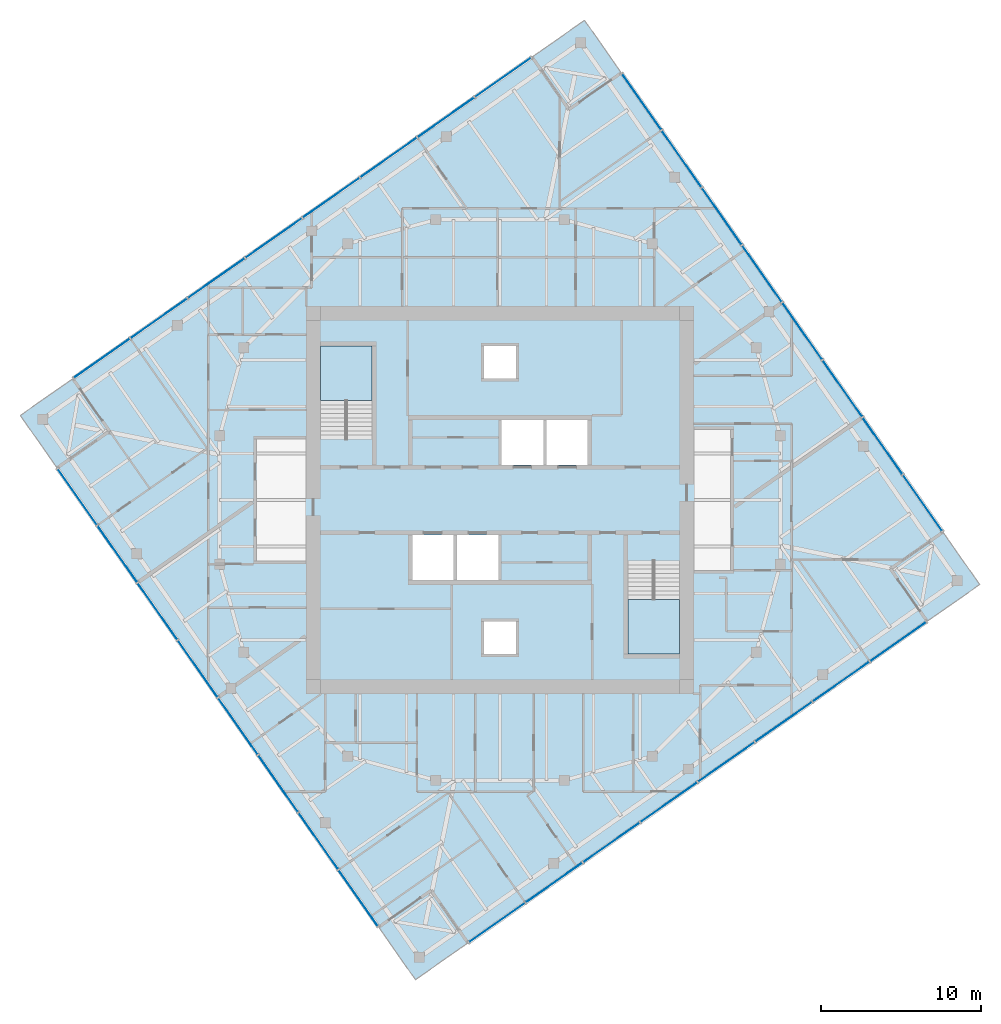
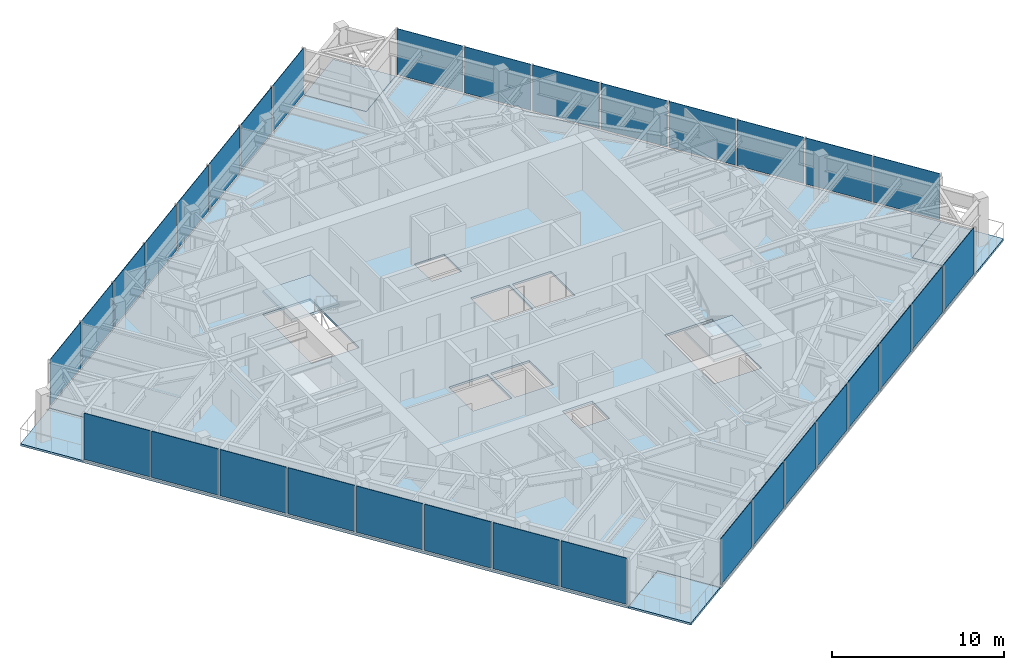
# One storey, part 6 of 13: 32 plates, 7 slabs, 6 elements without a shape of their own.
"""IFC4 building model written with IfcOpenShell, lengths in metres."""

from ifc_helpers import new_model, si_unit, direction, frame, origin, origin_2d, place, context, subcontext, project, spatial, polyline, rectangle, outline, extrude, material, layer, layer_set, type_object, element, aggregate, save


model = new_model("IFC4")

# Units and contexts
model_context = context("Model", 3, precision=1e-05, world=origin(), true_north=direction((0.0, 1.0)))
body_context = subcontext(model_context, "Body", "Model", "MODEL_VIEW")
ifc_project = project(units=[si_unit("LENGTHUNIT", "METRE"), si_unit("AREAUNIT", "SQUARE_METRE"), si_unit("VOLUMEUNIT", "CUBIC_METRE"), si_unit("PLANEANGLEUNIT", "RADIAN"), si_unit("MASSUNIT", "GRAM", prefix="KILO")], contexts=[model_context])

# Site, building, storey
site_placement = place(None, origin())
site = spatial("IfcSite", under=ifc_project, at=site_placement, CompositionType="ELEMENT")
building_placement = place(site_placement, origin())
building = spatial("IfcBuilding", under=site, at=building_placement, Name="Torsade Residences", CompositionType="ELEMENT")
storey_placement = place(building_placement, frame((0.0, 0.0, 260.800048828125)))
storey = spatial("IfcBuildingStorey", under=building, at=storey_placement, Name="L72", CompositionType="ELEMENT", Elevation=260.800048828125)

# Slab
ifc_material_1 = material(Name="Concrete 40 MPa", Category="concrete")
ifc_layer_1 = layer(ifc_material_1, 0.14990234375)
ifc_layer_set_1 = layer_set([ifc_layer_1], Name="Concrete 40 MPa")
slab_type_1 = type_object("IfcSlabType", Name="COMPOSITE FLOOR SLAB 150", PredefinedType="FLOOR", material=ifc_layer_set_1)
slab_1_placement = place(storey_placement, frame((0.0, 0.0, -0.150146484375)))
element("IfcSlab", 1, at=slab_1_placement, inside=storey, type_object=slab_type_1, Name="Floor slab L72", PredefinedType="FLOOR", context=body_context, shape_type="SweptSolid", body=[
    extrude(outline(polyline([(37.996826171875, 2.3505859375), (66.6669921875, 22.42578125), (64.372802734375, 25.702392578125), (67.6494140625, 27.996826171875), (47.57421875, 56.6669921875), (44.297607421875, 54.372802734375), (42.003173828125, 57.6494140625), (13.3330078125, 37.57421875), (15.627197265625, 34.297607421875), (12.3505859375, 32.003173828125), (32.42578125, 3.3330078125), (35.702392578125, 5.627197265625), (37.996826171875, 2.3505859375)]), holes=[polyline([(51.199951171875, 26.1201171875), (48.0, 26.1201171875), (48.0, 20.39990234375), (51.199951171875, 20.39990234375), (51.199951171875, 26.1201171875)]), polyline([(45.5, 35.0), (42.89990234375, 35.0), (42.89990234375, 32.199951171875), (45.5, 32.199951171875), (45.5, 35.0)]), polyline([(42.699951171875, 35.0), (40.10009765625, 35.0), (40.10009765625, 32.199951171875), (42.699951171875, 32.199951171875), (42.699951171875, 35.0)]), polyline([(41.0, 22.39990234375), (39.0, 22.39990234375), (39.0, 20.39990234375), (41.0, 20.39990234375), (41.0, 22.39990234375)]), polyline([(41.0, 39.60009765625), (39.0, 39.60009765625), (39.0, 37.60009765625), (41.0, 37.60009765625), (41.0, 39.60009765625)]), polyline([(39.89990234375, 27.800048828125), (37.300048828125, 27.800048828125), (37.300048828125, 25.0), (39.89990234375, 25.0), (39.89990234375, 27.800048828125)]), polyline([(37.10009765625, 27.800048828125), (34.5, 27.800048828125), (34.5, 25.0), (37.10009765625, 25.0), (37.10009765625, 27.800048828125)]), polyline([(32.0, 39.60009765625), (28.800048828125, 39.60009765625), (28.800048828125, 33.8798828125), (32.0, 33.8798828125), (32.0, 39.60009765625)])]), origin(), (0.0, 0.0, 1.0), 0.150146484375),
])

# Curtain wall, plates
ifc_material_2 = material(Name="Aluminium and glass", Category="aluminium")
curtain_wall_type = type_object("IfcCurtainWallType", Name="FRITTED GLASS CURTAIN WALL HIGH ZONE", PredefinedType="NOTDEFINED", material=ifc_material_2)
curtain_wall_1_placement = place(storey_placement, origin())
curtain_wall_1 = element("IfcCurtainWall", 2, at=curtain_wall_1_placement, inside=storey, type_object=curtain_wall_type, Name="Curtain wall L72 face 1", PredefinedType="NOTDEFINED")
ifc_material_3 = material(Name="Laminated glass", Category="glass")
ifc_layer_2 = layer(ifc_material_3, 0.031982421875)
ifc_layer_set_2 = layer_set([ifc_layer_2], Name="Laminated glass")
plate_type_1 = type_object("IfcPlateType", Name="FRITTED GLASS PANEL", PredefinedType="CURTAIN_PANEL", material=ifc_layer_set_2)
plate_1_placement = place(storey_placement, frame((39.80908203125, 3.61962890625, 0.1201171875), z_axis=(0.0, 0.0, 1.0), x_axis=(0.819152029353, 0.573576457682, 0.0)))
plate_1 = element("IfcPlate", 3, at=plate_1_placement, type_object=plate_type_1, Name="Panel 1", PredefinedType="CURTAIN_PANEL", context=body_context, shape_type="SweptSolid", body=[
    extrude(rectangle(XDim=4.22509765625, YDim=0.031982421875, at=origin_2d()), origin(), (0.0, 0.0, 1.0), 3.280029296875),
])
plate_2_placement = place(storey_placement, frame((46.956298828125, 8.6240234375, 0.1201171875), z_axis=(0.0, 0.0, 1.0), x_axis=(0.819152029353, 0.573576457682, 0.0)))
plate_2 = element("IfcPlate", 4, at=plate_2_placement, type_object=plate_type_1, Name="Panel 3", PredefinedType="CURTAIN_PANEL", context=body_context, shape_type="SweptSolid", body=[
    extrude(rectangle(XDim=4.27490234375, YDim=0.031982421875, at=origin_2d()), origin(), (0.0, 0.0, 1.0), 3.280029296875),
])
plate_3_placement = place(storey_placement, frame((50.5400390625, 11.133544921875, 0.1201171875), z_axis=(0.0, 0.0, 1.0), x_axis=(0.819152029353, 0.573576457682, 0.0)))
plate_3 = element("IfcPlate", 5, at=plate_3_placement, type_object=plate_type_1, Name="Panel 4", PredefinedType="CURTAIN_PANEL", context=body_context, shape_type="SweptSolid", body=[
    extrude(rectangle(XDim=4.27490234375, YDim=0.031982421875, at=origin_2d()), origin(), (0.0, 0.0, 1.0), 3.280029296875),
])
plate_4_placement = place(storey_placement, frame((54.123779296875, 13.642822265625, 0.1201171875), z_axis=(0.0, 0.0, 1.0), x_axis=(0.819152029353, 0.573576457682, 0.0)))
plate_4 = element("IfcPlate", 6, at=plate_4_placement, type_object=plate_type_1, Name="Panel 5", PredefinedType="CURTAIN_PANEL", context=body_context, shape_type="SweptSolid", body=[
    extrude(rectangle(XDim=4.27490234375, YDim=0.031982421875, at=origin_2d()), origin(), (0.0, 0.0, 1.0), 3.280029296875),
])
plate_5_placement = place(storey_placement, frame((61.291259765625, 18.66162109375, 0.1201171875), z_axis=(0.0, 0.0, 1.0), x_axis=(0.819152029353, 0.573576457682, 0.0)))
plate_5 = element("IfcPlate", 7, at=plate_5_placement, type_object=plate_type_1, Name="Panel 7", PredefinedType="CURTAIN_PANEL", context=body_context, shape_type="SweptSolid", body=[
    extrude(rectangle(XDim=4.27490234375, YDim=0.031982421875, at=origin_2d()), origin(), (0.0, 0.0, 1.0), 3.280029296875),
])
plate_6_placement = place(storey_placement, frame((64.854736328125, 21.15673828125, 0.1201171875), z_axis=(0.0, 0.0, 1.0), x_axis=(0.819152029353, 0.573576457682, 0.0)))
plate_6 = element("IfcPlate", 8, at=plate_6_placement, type_object=plate_type_1, Name="Panel 8", PredefinedType="CURTAIN_PANEL", context=body_context, shape_type="SweptSolid", body=[
    extrude(rectangle(XDim=4.22509765625, YDim=0.031982421875, at=origin_2d()), origin(), (0.0, 0.0, 1.0), 3.280029296875),
])

curtain_wall_2_placement = place(storey_placement, origin())
curtain_wall_2 = element("IfcCurtainWall", 9, at=curtain_wall_2_placement, inside=storey, type_object=curtain_wall_type, Name="Curtain wall L72 face 4", PredefinedType="NOTDEFINED")
plate_7_placement = place(storey_placement, frame((66.38037109375, 29.80908203125, 0.1201171875), z_axis=(0.0, 0.0, 1.0), x_axis=(-0.573576457682, 0.819152029353, 0.0)))
plate_7 = element("IfcPlate", 10, at=plate_7_placement, type_object=plate_type_1, Name="Panel 1", PredefinedType="CURTAIN_PANEL", context=body_context, shape_type="SweptSolid", body=[
    extrude(rectangle(XDim=4.22509765625, YDim=0.031982421875, at=origin_2d()), origin(), (0.0, 0.0, 1.0), 3.280029296875),
])
plate_8_placement = place(storey_placement, frame((61.3759765625, 36.956298828125, 0.1201171875), z_axis=(0.0, 0.0, 1.0), x_axis=(-0.573576457682, 0.819152029353, 0.0)))
plate_8 = element("IfcPlate", 11, at=plate_8_placement, type_object=plate_type_1, Name="Panel 3", PredefinedType="CURTAIN_PANEL", context=body_context, shape_type="SweptSolid", body=[
    extrude(rectangle(XDim=4.27490234375, YDim=0.031982421875, at=origin_2d()), origin(), (0.0, 0.0, 1.0), 3.280029296875),
])
plate_9_placement = place(storey_placement, frame((58.866455078125, 40.5400390625, 0.1201171875), z_axis=(0.0, 0.0, 1.0), x_axis=(-0.573576457682, 0.819152029353, 0.0)))
plate_9 = element("IfcPlate", 12, at=plate_9_placement, type_object=plate_type_1, Name="Panel 4", PredefinedType="CURTAIN_PANEL", context=body_context, shape_type="SweptSolid", body=[
    extrude(rectangle(XDim=4.27490234375, YDim=0.031982421875, at=origin_2d()), origin(), (0.0, 0.0, 1.0), 3.280029296875),
])
plate_10_placement = place(storey_placement, frame((56.357177734375, 44.123779296875, 0.1201171875), z_axis=(0.0, 0.0, 1.0), x_axis=(-0.573576457682, 0.819152029353, 0.0)))
plate_10 = element("IfcPlate", 13, at=plate_10_placement, type_object=plate_type_1, Name="Panel 5", PredefinedType="CURTAIN_PANEL", context=body_context, shape_type="SweptSolid", body=[
    extrude(rectangle(XDim=4.27490234375, YDim=0.031982421875, at=origin_2d()), origin(), (0.0, 0.0, 1.0), 3.280029296875),
])
plate_11_placement = place(storey_placement, frame((51.33837890625, 51.291259765625, 0.1201171875), z_axis=(0.0, 0.0, 1.0), x_axis=(-0.573576457682, 0.819152029353, 0.0)))
plate_11 = element("IfcPlate", 14, at=plate_11_placement, type_object=plate_type_1, Name="Panel 7", PredefinedType="CURTAIN_PANEL", context=body_context, shape_type="SweptSolid", body=[
    extrude(rectangle(XDim=4.27490234375, YDim=0.031982421875, at=origin_2d()), origin(), (0.0, 0.0, 1.0), 3.280029296875),
])
plate_12_placement = place(storey_placement, frame((48.84326171875, 54.854736328125, 0.1201171875), z_axis=(0.0, 0.0, 1.0), x_axis=(-0.573576457682, 0.819152029353, 0.0)))
plate_12 = element("IfcPlate", 15, at=plate_12_placement, type_object=plate_type_1, Name="Panel 8", PredefinedType="CURTAIN_PANEL", context=body_context, shape_type="SweptSolid", body=[
    extrude(rectangle(XDim=4.22509765625, YDim=0.031982421875, at=origin_2d()), origin(), (0.0, 0.0, 1.0), 3.280029296875),
])

curtain_wall_3_placement = place(storey_placement, origin())
curtain_wall_3 = element("IfcCurtainWall", 16, at=curtain_wall_3_placement, inside=storey, type_object=curtain_wall_type, Name="Curtain wall L72 face 7", PredefinedType="NOTDEFINED")
plate_13_placement = place(storey_placement, frame((40.19091796875, 56.38037109375, 0.1201171875), z_axis=(0.0, 0.0, 1.0), x_axis=(-0.819152029353, -0.573576457682, 0.0)))
plate_13 = element("IfcPlate", 17, at=plate_13_placement, type_object=plate_type_1, Name="Panel 1", PredefinedType="CURTAIN_PANEL", context=body_context, shape_type="SweptSolid", body=[
    extrude(rectangle(XDim=4.22509765625, YDim=0.031982421875, at=origin_2d()), origin(), (0.0, 0.0, 1.0), 3.280029296875),
])
plate_14_placement = place(storey_placement, frame((33.043701171875, 51.3759765625, 0.1201171875), z_axis=(0.0, 0.0, 1.0), x_axis=(-0.819152029353, -0.573576457682, 0.0)))
plate_14 = element("IfcPlate", 18, at=plate_14_placement, type_object=plate_type_1, Name="Panel 3", PredefinedType="CURTAIN_PANEL", context=body_context, shape_type="SweptSolid", body=[
    extrude(rectangle(XDim=4.27490234375, YDim=0.031982421875, at=origin_2d()), origin(), (0.0, 0.0, 1.0), 3.280029296875),
])
plate_15_placement = place(storey_placement, frame((29.4599609375, 48.866455078125, 0.1201171875), z_axis=(0.0, 0.0, 1.0), x_axis=(-0.819152029353, -0.573576457682, 0.0)))
plate_15 = element("IfcPlate", 19, at=plate_15_placement, type_object=plate_type_1, Name="Panel 4", PredefinedType="CURTAIN_PANEL", context=body_context, shape_type="SweptSolid", body=[
    extrude(rectangle(XDim=4.27490234375, YDim=0.031982421875, at=origin_2d()), origin(), (0.0, 0.0, 1.0), 3.280029296875),
])
plate_16_placement = place(storey_placement, frame((25.876220703125, 46.357177734375, 0.1201171875), z_axis=(0.0, 0.0, 1.0), x_axis=(-0.819152029353, -0.573576457682, 0.0)))
plate_16 = element("IfcPlate", 20, at=plate_16_placement, type_object=plate_type_1, Name="Panel 5", PredefinedType="CURTAIN_PANEL", context=body_context, shape_type="SweptSolid", body=[
    extrude(rectangle(XDim=4.27490234375, YDim=0.031982421875, at=origin_2d()), origin(), (0.0, 0.0, 1.0), 3.280029296875),
])
plate_17_placement = place(storey_placement, frame((18.708740234375, 41.33837890625, 0.1201171875), z_axis=(0.0, 0.0, 1.0), x_axis=(-0.819152029353, -0.573576457682, 0.0)))
plate_17 = element("IfcPlate", 21, at=plate_17_placement, type_object=plate_type_1, Name="Panel 7", PredefinedType="CURTAIN_PANEL", context=body_context, shape_type="SweptSolid", body=[
    extrude(rectangle(XDim=4.27490234375, YDim=0.031982421875, at=origin_2d()), origin(), (0.0, 0.0, 1.0), 3.280029296875),
])
plate_18_placement = place(storey_placement, frame((15.145263671875, 38.84326171875, 0.1201171875), z_axis=(0.0, 0.0, 1.0), x_axis=(-0.819152029353, -0.573576457682, 0.0)))
plate_18 = element("IfcPlate", 22, at=plate_18_placement, type_object=plate_type_1, Name="Panel 8", PredefinedType="CURTAIN_PANEL", context=body_context, shape_type="SweptSolid", body=[
    extrude(rectangle(XDim=4.22509765625, YDim=0.031982421875, at=origin_2d()), origin(), (0.0, 0.0, 1.0), 3.280029296875),
])

curtain_wall_4_placement = place(storey_placement, origin())
curtain_wall_4 = element("IfcCurtainWall", 23, at=curtain_wall_4_placement, inside=storey, type_object=curtain_wall_type, Name="Curtain wall L72 face 10", PredefinedType="NOTDEFINED")
plate_19_placement = place(storey_placement, frame((13.61962890625, 30.19091796875, 0.1201171875), z_axis=(0.0, 0.0, 1.0), x_axis=(0.573576457682, -0.819152029353, 0.0)))
plate_19 = element("IfcPlate", 24, at=plate_19_placement, type_object=plate_type_1, Name="Panel 1", PredefinedType="CURTAIN_PANEL", context=body_context, shape_type="SweptSolid", body=[
    extrude(rectangle(XDim=4.22509765625, YDim=0.031982421875, at=origin_2d()), origin(), (0.0, 0.0, 1.0), 3.280029296875),
])
plate_20_placement = place(storey_placement, frame((18.6240234375, 23.043701171875, 0.1201171875), z_axis=(0.0, 0.0, 1.0), x_axis=(0.573576457682, -0.819152029353, 0.0)))
plate_20 = element("IfcPlate", 25, at=plate_20_placement, type_object=plate_type_1, Name="Panel 3", PredefinedType="CURTAIN_PANEL", context=body_context, shape_type="SweptSolid", body=[
    extrude(rectangle(XDim=4.27490234375, YDim=0.031982421875, at=origin_2d()), origin(), (0.0, 0.0, 1.0), 3.280029296875),
])
plate_21_placement = place(storey_placement, frame((21.133544921875, 19.4599609375, 0.1201171875), z_axis=(0.0, 0.0, 1.0), x_axis=(0.573576457682, -0.819152029353, 0.0)))
plate_21 = element("IfcPlate", 26, at=plate_21_placement, type_object=plate_type_1, Name="Panel 4", PredefinedType="CURTAIN_PANEL", context=body_context, shape_type="SweptSolid", body=[
    extrude(rectangle(XDim=4.27490234375, YDim=0.031982421875, at=origin_2d()), origin(), (0.0, 0.0, 1.0), 3.280029296875),
])
plate_22_placement = place(storey_placement, frame((23.642822265625, 15.876220703125, 0.1201171875), z_axis=(0.0, 0.0, 1.0), x_axis=(0.573576457682, -0.819152029353, 0.0)))
plate_22 = element("IfcPlate", 27, at=plate_22_placement, type_object=plate_type_1, Name="Panel 5", PredefinedType="CURTAIN_PANEL", context=body_context, shape_type="SweptSolid", body=[
    extrude(rectangle(XDim=4.27490234375, YDim=0.031982421875, at=origin_2d()), origin(), (0.0, 0.0, 1.0), 3.280029296875),
])
plate_23_placement = place(storey_placement, frame((28.66162109375, 8.708740234375, 0.1201171875), z_axis=(0.0, 0.0, 1.0), x_axis=(0.573576457682, -0.819152029353, 0.0)))
plate_23 = element("IfcPlate", 28, at=plate_23_placement, type_object=plate_type_1, Name="Panel 7", PredefinedType="CURTAIN_PANEL", context=body_context, shape_type="SweptSolid", body=[
    extrude(rectangle(XDim=4.27490234375, YDim=0.031982421875, at=origin_2d()), origin(), (0.0, 0.0, 1.0), 3.280029296875),
])
plate_24_placement = place(storey_placement, frame((31.15673828125, 5.145263671875, 0.1201171875), z_axis=(0.0, 0.0, 1.0), x_axis=(0.573576457682, -0.819152029353, 0.0)))
plate_24 = element("IfcPlate", 29, at=plate_24_placement, type_object=plate_type_1, Name="Panel 8", PredefinedType="CURTAIN_PANEL", context=body_context, shape_type="SweptSolid", body=[
    extrude(rectangle(XDim=4.22509765625, YDim=0.031982421875, at=origin_2d()), origin(), (0.0, 0.0, 1.0), 3.280029296875),
])

# Plate
ifc_material_4 = material(Name="Laminated glass", Category="glass")
ifc_layer_3 = layer(ifc_material_4, 0.0400390625)
ifc_layer_set_3 = layer_set([ifc_layer_3], Name="Laminated glass")
plate_type_2 = type_object("IfcPlateType", Name="OPERABLE VENT PANEL", PredefinedType="CURTAIN_PANEL", material=ifc_layer_set_3)
plate_25_placement = place(storey_placement, frame((43.372314453125, 6.11474609375, 0.1201171875), z_axis=(0.0, 0.0, 1.0), x_axis=(0.819152029353, 0.573576457682, 0.0)))
plate_25 = element("IfcPlate", 30, at=plate_25_placement, type_object=plate_type_2, Name="Panel 2", PredefinedType="CURTAIN_PANEL", context=body_context, shape_type="SweptSolid", body=[
    extrude(rectangle(XDim=4.27490234375, YDim=0.0400390625, at=origin_2d()), origin(), (0.0, 0.0, 1.0), 3.280029296875),
])

plate_26_placement = place(storey_placement, frame((57.70751953125, 16.15234375, 0.1201171875), z_axis=(0.0, 0.0, 1.0), x_axis=(0.819152029353, 0.573576457682, 0.0)))
plate_26 = element("IfcPlate", 31, at=plate_26_placement, type_object=plate_type_2, Name="Panel 6", PredefinedType="CURTAIN_PANEL", context=body_context, shape_type="SweptSolid", body=[
    extrude(rectangle(XDim=4.27490234375, YDim=0.0400390625, at=origin_2d()), origin(), (0.0, 0.0, 1.0), 3.280029296875),
])

aggregate(curtain_wall_1, [plate_1, plate_25, plate_2, plate_3, plate_4, plate_26, plate_5, plate_6])

plate_27_placement = place(storey_placement, frame((63.88525390625, 33.372314453125, 0.1201171875), z_axis=(0.0, 0.0, 1.0), x_axis=(-0.573576457682, 0.819152029353, 0.0)))
plate_27 = element("IfcPlate", 32, at=plate_27_placement, type_object=plate_type_2, Name="Panel 2", PredefinedType="CURTAIN_PANEL", context=body_context, shape_type="SweptSolid", body=[
    extrude(rectangle(XDim=4.27490234375, YDim=0.0400390625, at=origin_2d()), origin(), (0.0, 0.0, 1.0), 3.280029296875),
])

plate_28_placement = place(storey_placement, frame((53.84765625, 47.70751953125, 0.1201171875), z_axis=(0.0, 0.0, 1.0), x_axis=(-0.573576457682, 0.819152029353, 0.0)))
plate_28 = element("IfcPlate", 33, at=plate_28_placement, type_object=plate_type_2, Name="Panel 6", PredefinedType="CURTAIN_PANEL", context=body_context, shape_type="SweptSolid", body=[
    extrude(rectangle(XDim=4.27490234375, YDim=0.0400390625, at=origin_2d()), origin(), (0.0, 0.0, 1.0), 3.280029296875),
])

aggregate(curtain_wall_2, [plate_7, plate_27, plate_8, plate_9, plate_10, plate_28, plate_11, plate_12])

plate_29_placement = place(storey_placement, frame((36.627685546875, 53.88525390625, 0.1201171875), z_axis=(0.0, 0.0, 1.0), x_axis=(-0.819152029353, -0.573576457682, 0.0)))
plate_29 = element("IfcPlate", 34, at=plate_29_placement, type_object=plate_type_2, Name="Panel 2", PredefinedType="CURTAIN_PANEL", context=body_context, shape_type="SweptSolid", body=[
    extrude(rectangle(XDim=4.27490234375, YDim=0.0400390625, at=origin_2d()), origin(), (0.0, 0.0, 1.0), 3.280029296875),
])

plate_30_placement = place(storey_placement, frame((22.29248046875, 43.84765625, 0.1201171875), z_axis=(0.0, 0.0, 1.0), x_axis=(-0.819152029353, -0.573576457682, 0.0)))
plate_30 = element("IfcPlate", 35, at=plate_30_placement, type_object=plate_type_2, Name="Panel 6", PredefinedType="CURTAIN_PANEL", context=body_context, shape_type="SweptSolid", body=[
    extrude(rectangle(XDim=4.27490234375, YDim=0.0400390625, at=origin_2d()), origin(), (0.0, 0.0, 1.0), 3.280029296875),
])

aggregate(curtain_wall_3, [plate_13, plate_29, plate_14, plate_15, plate_16, plate_30, plate_17, plate_18])

plate_31_placement = place(storey_placement, frame((16.11474609375, 26.627685546875, 0.1201171875), z_axis=(0.0, 0.0, 1.0), x_axis=(0.573576457682, -0.819152029353, 0.0)))
plate_31 = element("IfcPlate", 36, at=plate_31_placement, type_object=plate_type_2, Name="Panel 2", PredefinedType="CURTAIN_PANEL", context=body_context, shape_type="SweptSolid", body=[
    extrude(rectangle(XDim=4.27490234375, YDim=0.0400390625, at=origin_2d()), origin(), (0.0, 0.0, 1.0), 3.280029296875),
])

plate_32_placement = place(storey_placement, frame((26.15234375, 12.29248046875, 0.1201171875), z_axis=(0.0, 0.0, 1.0), x_axis=(0.573576457682, -0.819152029353, 0.0)))
plate_32 = element("IfcPlate", 37, at=plate_32_placement, type_object=plate_type_2, Name="Panel 6", PredefinedType="CURTAIN_PANEL", context=body_context, shape_type="SweptSolid", body=[
    extrude(rectangle(XDim=4.27490234375, YDim=0.0400390625, at=origin_2d()), origin(), (0.0, 0.0, 1.0), 3.280029296875),
])

aggregate(curtain_wall_4, [plate_19, plate_31, plate_20, plate_21, plate_22, plate_32, plate_23, plate_24])

# Stair, slab
ifc_material_5 = material(Name="Precast concrete 40 MPa", Category="concrete")
stair_type = type_object("IfcStairType", Name="HALF-TURN FIRE STAIR 1500x3400", PredefinedType="HALF_TURN_STAIR", material=ifc_material_5)
stair_1_placement = place(storey_placement, origin())
stair_1 = element("IfcStair", 38, at=stair_1_placement, inside=storey, type_object=stair_type, Name="Stair ST1 L72", PredefinedType="HALF_TURN_STAIR")
ifc_material_6 = material(Name="Precast concrete 40 MPa", Category="concrete")
ifc_layer_4 = layer(ifc_material_6, 0.179931640625)
ifc_layer_set_4 = layer_set([ifc_layer_4], Name="Precast concrete 40 MPa")
slab_type_2 = type_object("IfcSlabType", Name="PRECAST STAIR LANDING 180", PredefinedType="LANDING", material=ifc_layer_set_4)
slab_2_placement = place(storey_placement, frame((0.0, 0.0, 1.52001953125)))
slab_2 = element("IfcSlab", 39, at=slab_2_placement, type_object=slab_type_2, Name="ST1 landing 1", PredefinedType="LANDING", context=body_context, shape_type="SweptSolid", body=[
    extrude(outline(polyline([(28.800048828125, 36.2099609375), (32.0, 36.2099609375), (32.0, 39.60009765625), (28.800048828125, 39.60009765625), (28.800048828125, 36.2099609375)])), origin(), (0.0, 0.0, 1.0), 0.179931640625),
])
aggregate(stair_1, [slab_2])

stair_2_placement = place(storey_placement, origin())
stair_2 = element("IfcStair", 40, at=stair_2_placement, inside=storey, type_object=stair_type, Name="Stair ST2 L72", PredefinedType="HALF_TURN_STAIR")
slab_3_placement = place(storey_placement, frame((0.0, 0.0, 1.52001953125)))
slab_3 = element("IfcSlab", 41, at=slab_3_placement, type_object=slab_type_2, Name="ST2 landing 1", PredefinedType="LANDING", context=body_context, shape_type="SweptSolid", body=[
    extrude(outline(polyline([(48.0, 20.39990234375), (51.199951171875, 20.39990234375), (51.199951171875, 23.7900390625), (48.0, 23.7900390625), (48.0, 20.39990234375)])), origin(), (0.0, 0.0, 1.0), 0.179931640625),
])
aggregate(stair_2, [slab_3])

# Slabs
ifc_material_7 = material(Name="Concrete 40 MPa", Category="concrete")
ifc_layer_5 = layer(ifc_material_7, 0.14990234375)
ifc_layer_set_5 = layer_set([ifc_layer_5], Name="Concrete 40 MPa")
slab_type_3 = type_object("IfcSlabType", Name="TERRACE SLAB 150", PredefinedType="FLOOR", material=ifc_layer_set_5)
slab_4_placement = place(storey_placement, frame((0.0, 0.0, -0.150146484375)))
element("IfcSlab", 42, at=slab_4_placement, inside=storey, type_object=slab_type_3, Name="Corner terrace slab SE L72", PredefinedType="FLOOR", context=body_context, shape_type="SweptSolid", body=[
    extrude(outline(polyline([(66.6669921875, 22.42578125), (69.943603515625, 24.72021484375), (67.6494140625, 27.996826171875), (64.372802734375, 25.702392578125), (66.6669921875, 22.42578125)])), origin(), (0.0, 0.0, 1.0), 0.150146484375),
])
slab_5_placement = place(storey_placement, frame((0.0, 0.0, -0.150146484375)))
element("IfcSlab", 43, at=slab_5_placement, inside=storey, type_object=slab_type_3, Name="Corner terrace slab NE L72", PredefinedType="FLOOR", context=body_context, shape_type="SweptSolid", body=[
    extrude(outline(polyline([(44.297607421875, 54.372802734375), (47.57421875, 56.6669921875), (45.27978515625, 59.943603515625), (42.003173828125, 57.6494140625), (44.297607421875, 54.372802734375)])), origin(), (0.0, 0.0, 1.0), 0.150146484375),
])
slab_6_placement = place(storey_placement, frame((0.0, 0.0, -0.150146484375)))
element("IfcSlab", 44, at=slab_6_placement, inside=storey, type_object=slab_type_3, Name="Corner terrace slab NW L72", PredefinedType="FLOOR", context=body_context, shape_type="SweptSolid", body=[
    extrude(outline(polyline([(12.3505859375, 32.003173828125), (15.627197265625, 34.297607421875), (13.3330078125, 37.57421875), (10.056396484375, 35.27978515625), (12.3505859375, 32.003173828125)])), origin(), (0.0, 0.0, 1.0), 0.150146484375),
])
slab_7_placement = place(storey_placement, frame((0.0, 0.0, -0.150146484375)))
element("IfcSlab", 45, at=slab_7_placement, inside=storey, type_object=slab_type_3, Name="Corner terrace slab SW L72", PredefinedType="FLOOR", context=body_context, shape_type="SweptSolid", body=[
    extrude(outline(polyline([(34.72021484375, 0.056396484375), (37.996826171875, 2.3505859375), (35.702392578125, 5.627197265625), (32.42578125, 3.3330078125), (34.72021484375, 0.056396484375)])), origin(), (0.0, 0.0, 1.0), 0.150146484375),
])

save(model, "model.ifc")
